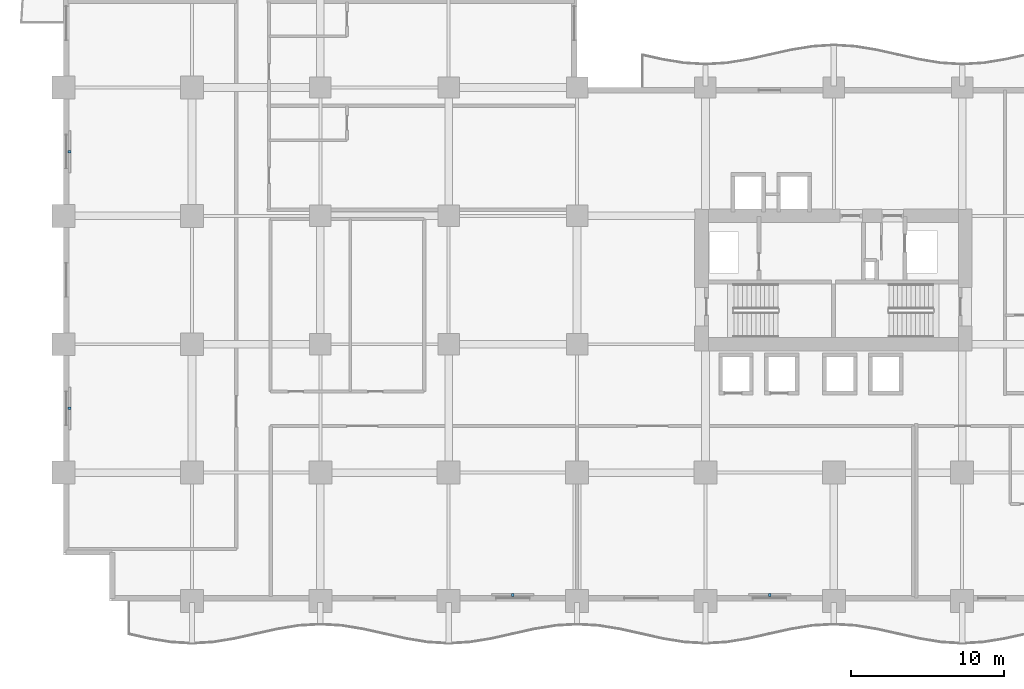
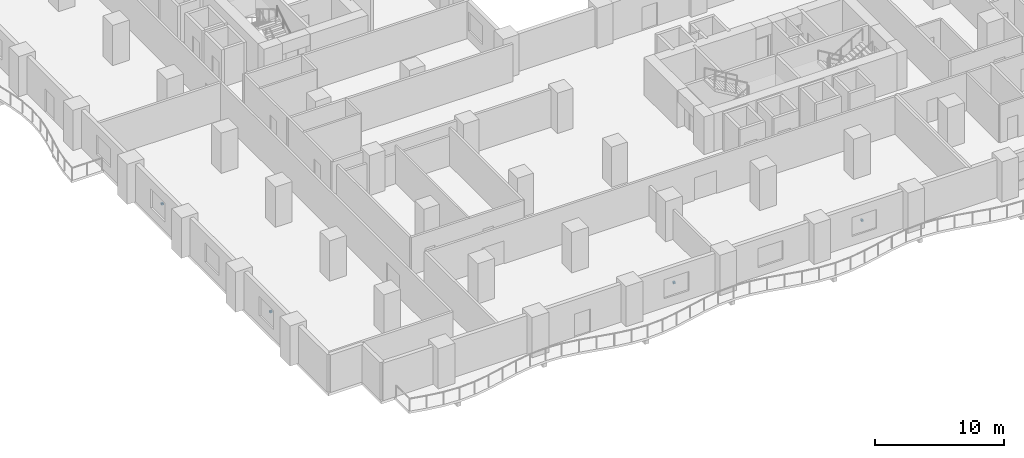
# One storey, part 16 of 21: 4 discrete accessories.
"""IFC4 building model written with IfcOpenShell, lengths in metres."""

from ifc_helpers import new_model, si_unit, direction, frame, origin, origin_2d, place, context, subcontext, project, spatial, rectangle, extrude, material, type_object, element, save


model = new_model("IFC4")

# Units and contexts
model_context = context("Model", 3, precision=1e-05, world=origin(), true_north=direction((0.0, 1.0)))
body_context = subcontext(model_context, "Body", "Model", "MODEL_VIEW")
ifc_project = project(units=[si_unit("LENGTHUNIT", "METRE"), si_unit("AREAUNIT", "SQUARE_METRE"), si_unit("VOLUMEUNIT", "CUBIC_METRE"), si_unit("PLANEANGLEUNIT", "RADIAN"), si_unit("MASSUNIT", "GRAM", prefix="KILO")], contexts=[model_context])

# Site, building, storey
site_placement = place(None, origin())
site = spatial("IfcSite", under=ifc_project, at=site_placement, CompositionType="ELEMENT")
building_placement = place(site_placement, origin())
building = spatial("IfcBuilding", under=site, at=building_placement, Name="Koriwani Terraces Tower", CompositionType="ELEMENT")
storey_placement = place(building_placement, frame((0.0, 0.0, 77.60009765625)))
storey = spatial("IfcBuildingStorey", under=building, at=storey_placement, Name="L18", CompositionType="ELEMENT", Elevation=77.60009765625)

# Discrete accessories
ifc_material = material(Name="Steel ASTM A572 Grade 50", Category="steel")
discrete_accessory_type = type_object("IfcDiscreteAccessoryType", Name="BAGUETTE_STANDOFF_BRACKET", PredefinedType="BRACKET", material=ifc_material)
for number, where, z_axis, x_axis, name in (
    (1, (0.389892578125, 12.60009765625, 1.68505859375), (0.0, 0.0, 1.0), (0.0, 1.0, 0.0), "L18 Terracotta Baguette Bracket (W-3)"),
    (2, (0.389892578125, 29.39990234375, 1.68505859375), (0.0, 0.0, 1.0), (0.0, 1.0, 0.0), "L18 Terracotta Baguette Bracket (W-9)"),
    (3, (29.39990234375, 0.389892578125, 1.68505859375), (0.0, 0.0, 1.0), (-1.0, 0.0, 0.0), "L18 Terracotta Baguette Bracket (S-9)"),
    (4, (46.199951171875, 0.389892578125, 1.68505859375), (0.0, 0.0, 1.0), (-1.0, 0.0, 0.0), "L18 Terracotta Baguette Bracket (S-15)"),
):
    element("IfcDiscreteAccessory", number, at=place(storey_placement, frame(where, z_axis=z_axis, x_axis=x_axis)), inside=storey, type_object=discrete_accessory_type, Name=name, PredefinedType="BRACKET", context=body_context, shape_type="SweptSolid", body=[
        extrude(rectangle(XDim=0.159912109375, YDim=0.199951171875, at=origin_2d()), origin(), (0.0, 0.0, 1.0), 0.179931640625),
    ])

save(model, "model.ifc")
